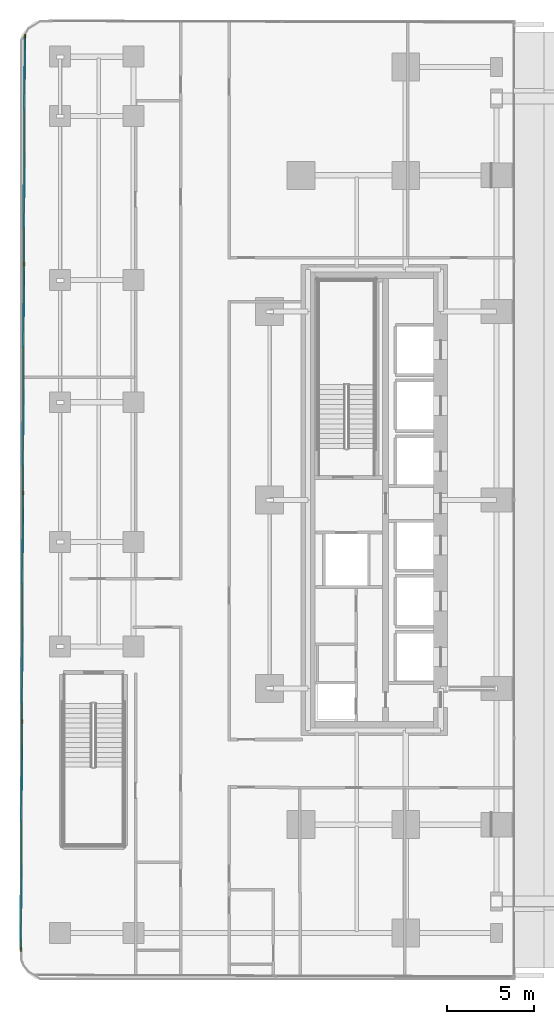
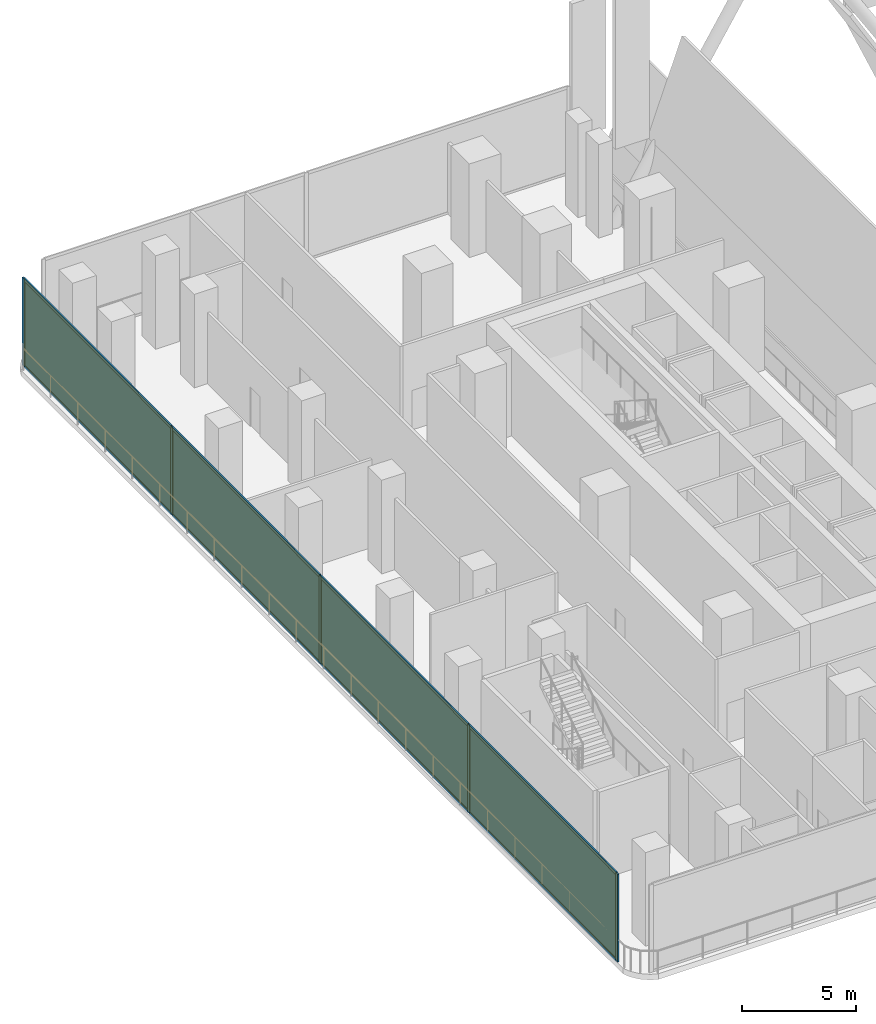
# One storey, part 13 of 31: 13 members, 4 plates, 1 curtain wall.
"""IFC4 building model written with IfcOpenShell, lengths in metres."""

from ifc_helpers import new_model, si_unit, direction, frame, frame_2d, origin, origin_2d, place, context, subcontext, project, spatial, rectangle, extrude, material, layer, layer_set, material_profile, profile_set, type_object, element, aggregate, save


model = new_model("IFC4")

# Units and contexts
model_context = context("Model", 3, precision=1e-05, world=origin(), true_north=direction((0.0, 1.0)))
body_context = subcontext(model_context, "Body", "Model", "MODEL_VIEW")
ifc_project = project(units=[si_unit("LENGTHUNIT", "METRE"), si_unit("AREAUNIT", "SQUARE_METRE"), si_unit("VOLUMEUNIT", "CUBIC_METRE"), si_unit("PLANEANGLEUNIT", "RADIAN"), si_unit("MASSUNIT", "GRAM", prefix="KILO")], contexts=[model_context])

# Member
ifc_material_1 = material(Name="Anodised Bronze Aluminium 6063-T6", Category="aluminium")
ifc_material_profile_1 = material_profile(ifc_material_1, rectangle(XDim=0.074951171875, YDim=0.199951171875, at=origin_2d()))
ifc_profile_set_1 = profile_set([ifc_material_profile_1], Name="Anodised Bronze Aluminium 6063-T6")
member_type_1 = type_object("IfcMemberType", Name="CW-POD Mullion 75x200", PredefinedType="MULLION", material=ifc_profile_set_1)
site_placement = place(None, origin())
building_placement = place(site_placement, origin())
storey_placement = place(building_placement, frame((0.0, 0.0, 6.0)))
member_1_placement = place(storey_placement, frame((-36.43994140625, -25.751953125, 0.0), z_axis=(0.0, 0.0, 1.0), x_axis=(-0.99999110921, 0.004216811588, 0.0)))
member_1 = element("IfcMember", 1, at=member_1_placement, type_object=member_type_1, Name="CW-POD mullion 1", PredefinedType="MULLION", context=body_context, shape_type="SweptSolid", body=[
    extrude(rectangle(XDim=0.074951171875, YDim=0.199951171875, at=origin_2d()), origin(), (0.0, 0.0, 1.0), 4.699951171875),
])

member_2_placement = place(storey_placement, frame((-36.384765625, -12.687255859375, 0.0), z_axis=(0.0, 0.0, 1.0), x_axis=(-0.99999110921, 0.004216811588, 0.0)))
member_2 = element("IfcMember", 2, at=member_2_placement, type_object=member_type_1, Name="CW-POD mullion 2", PredefinedType="MULLION", context=body_context, shape_type="SweptSolid", body=[
    extrude(rectangle(XDim=0.074951171875, YDim=0.199951171875, at=origin_2d()), origin(), (0.0, 0.0, 1.0), 4.699951171875),
])

member_3_placement = place(storey_placement, frame((-36.32958984375, 0.414794921875, 0.0), z_axis=(0.0, 0.0, 1.0), x_axis=(-0.99999110921, 0.004216811588, 0.0)))
member_3 = element("IfcMember", 3, at=member_3_placement, type_object=member_type_1, Name="CW-POD mullion 3", PredefinedType="MULLION", context=body_context, shape_type="SweptSolid", body=[
    extrude(rectangle(XDim=0.074951171875, YDim=0.199951171875, at=origin_2d()), origin(), (0.0, 0.0, 1.0), 4.699951171875),
])

member_4_placement = place(storey_placement, frame((-36.274169921875, 13.51708984375, 0.0), z_axis=(0.0, 0.0, 1.0), x_axis=(-0.99999110921, 0.004216811588, 0.0)))
member_4 = element("IfcMember", 4, at=member_4_placement, type_object=member_type_1, Name="CW-POD mullion 4", PredefinedType="MULLION", context=body_context, shape_type="SweptSolid", body=[
    extrude(rectangle(XDim=0.074951171875, YDim=0.199951171875, at=origin_2d()), origin(), (0.0, 0.0, 1.0), 4.699951171875),
])

member_5_placement = place(storey_placement, frame((-36.21923828125, 26.581787109375, 0.0), z_axis=(0.0, 0.0, 1.0), x_axis=(-0.99999110921, 0.004216811588, 0.0)))
member_5 = element("IfcMember", 5, at=member_5_placement, type_object=member_type_1, Name="CW-POD mullion 5", PredefinedType="MULLION", context=body_context, shape_type="SweptSolid", body=[
    extrude(rectangle(XDim=0.074951171875, YDim=0.199951171875, at=origin_2d()), origin(), (0.0, 0.0, 1.0), 4.699951171875),
])

ifc_material_2 = material(Name="Anodised Bronze Aluminium 6063-T6", Category="aluminium")
ifc_material_profile_2 = material_profile(ifc_material_2, rectangle(XDim=0.074951171875, YDim=0.159912109375, at=origin_2d()))
ifc_profile_set_2 = profile_set([ifc_material_profile_2], Name="Anodised Bronze Aluminium 6063-T6")
member_type_2 = type_object("IfcMemberType", Name="CW-POD Transom 75x160", PredefinedType="USERDEFINED", material=ifc_profile_set_2)
member_6_placement = place(storey_placement, frame((-36.439697265625, -25.714599609375, 0.03759765625), z_axis=(0.004210014188, 0.999991137851, 0.0), x_axis=(-0.999991137851, 0.004210014188, 0.0)))
member_6 = element("IfcMember", 6, at=member_6_placement, type_object=member_type_2, Name="CW-POD transom 1.1", ObjectType="TRANSOM", PredefinedType="USERDEFINED", context=body_context, shape_type="SweptSolid", body=[
    extrude(rectangle(XDim=0.074951171875, YDim=0.159912109375, at=origin_2d()), origin(), (0.0, 0.0, 1.0), 12.98974609375),
])

member_7_placement = place(storey_placement, frame((-36.439697265625, -25.714599609375, 4.66259765625), z_axis=(0.004210014188, 0.999991137851, 0.0), x_axis=(-0.999991137851, 0.004210014188, 0.0)))
member_7 = element("IfcMember", 7, at=member_7_placement, type_object=member_type_2, Name="CW-POD transom 1.2", ObjectType="TRANSOM", PredefinedType="USERDEFINED", context=body_context, shape_type="SweptSolid", body=[
    extrude(rectangle(XDim=0.074951171875, YDim=0.159912109375, at=origin_2d()), origin(), (0.0, 0.0, 1.0), 12.98974609375),
])

member_8_placement = place(storey_placement, frame((-36.384521484375, -12.64990234375, 0.03759765625), z_axis=(0.004216604194, 0.999991110085, 0.0), x_axis=(-0.999991110085, 0.004216604194, 0.0)))
member_8 = element("IfcMember", 8, at=member_8_placement, type_object=member_type_2, Name="CW-POD transom 2.1", ObjectType="TRANSOM", PredefinedType="USERDEFINED", context=body_context, shape_type="SweptSolid", body=[
    extrude(rectangle(XDim=0.074951171875, YDim=0.159912109375, at=origin_2d()), origin(), (0.0, 0.0, 1.0), 13.02734375),
])

member_9_placement = place(storey_placement, frame((-36.384521484375, -12.64990234375, 4.66259765625), z_axis=(0.004216604194, 0.999991110085, 0.0), x_axis=(-0.999991110085, 0.004216604194, 0.0)))
member_9 = element("IfcMember", 9, at=member_9_placement, type_object=member_type_2, Name="CW-POD transom 2.2", ObjectType="TRANSOM", PredefinedType="USERDEFINED", context=body_context, shape_type="SweptSolid", body=[
    extrude(rectangle(XDim=0.074951171875, YDim=0.159912109375, at=origin_2d()), origin(), (0.0, 0.0, 1.0), 13.02734375),
])

member_10_placement = place(storey_placement, frame((-36.329345703125, 0.452392578125, 0.03759765625), z_axis=(0.004216683215, 0.999991109752, 0.0), x_axis=(-0.999991109752, 0.004216683215, 0.0)))
member_10 = element("IfcMember", 10, at=member_10_placement, type_object=member_type_2, Name="CW-POD transom 3.1", ObjectType="TRANSOM", PredefinedType="USERDEFINED", context=body_context, shape_type="SweptSolid", body=[
    extrude(rectangle(XDim=0.074951171875, YDim=0.159912109375, at=origin_2d()), origin(), (0.0, 0.0, 1.0), 13.027099609375),
])

member_11_placement = place(storey_placement, frame((-36.329345703125, 0.452392578125, 4.66259765625), z_axis=(0.004216683215, 0.999991109752, 0.0), x_axis=(-0.999991109752, 0.004216683215, 0.0)))
member_11 = element("IfcMember", 11, at=member_11_placement, type_object=member_type_2, Name="CW-POD transom 3.2", ObjectType="TRANSOM", PredefinedType="USERDEFINED", context=body_context, shape_type="SweptSolid", body=[
    extrude(rectangle(XDim=0.074951171875, YDim=0.159912109375, at=origin_2d()), origin(), (0.0, 0.0, 1.0), 13.027099609375),
])

member_12_placement = place(storey_placement, frame((-36.274169921875, 13.5546875, 0.03759765625), z_axis=(0.004228888039, 0.999991058213, 0.0), x_axis=(-0.999991058213, 0.004228888039, 0.0)))
member_12 = element("IfcMember", 12, at=member_12_placement, type_object=member_type_2, Name="CW-POD transom 4.1", ObjectType="TRANSOM", PredefinedType="USERDEFINED", context=body_context, shape_type="SweptSolid", body=[
    extrude(rectangle(XDim=0.074951171875, YDim=0.159912109375, at=origin_2d()), origin(), (0.0, 0.0, 1.0), 12.989501953125),
])

member_13_placement = place(storey_placement, frame((-36.274169921875, 13.5546875, 4.66259765625), z_axis=(0.004228888039, 0.999991058213, 0.0), x_axis=(-0.999991058213, 0.004228888039, 0.0)))
member_13 = element("IfcMember", 13, at=member_13_placement, type_object=member_type_2, Name="CW-POD transom 4.2", ObjectType="TRANSOM", PredefinedType="USERDEFINED", context=body_context, shape_type="SweptSolid", body=[
    extrude(rectangle(XDim=0.074951171875, YDim=0.159912109375, at=origin_2d()), origin(), (0.0, 0.0, 1.0), 12.989501953125),
])

# Plate
ifc_material_3 = material(Name="Low-E Solar Control Laminated Glass", Category="glass")
ifc_layer_1 = layer(ifc_material_3, 0.031982421875, Name="Low-E Solar Control Laminated Glass")
ifc_layer_set_1 = layer_set([ifc_layer_1], Name="Low-E Solar Control Laminated Glass")
plate_type = type_object("IfcPlateType", Name="CW-POD Low-E Double Glazed Panel 32mm", PredefinedType="CURTAIN_PANEL", material=ifc_layer_set_1)
plate_1_placement = place(storey_placement, frame((-36.412353515625, -19.2197265625, 0.0751953125), z_axis=(0.0, 0.0, 1.0), x_axis=(0.004216811588, 0.99999110921, 0.0)))
plate_1 = element("IfcPlate", 14, at=plate_1_placement, type_object=plate_type, Name="CW-POD panel 1.1", PredefinedType="CURTAIN_PANEL", context=body_context, shape_type="SweptSolid", body=[
    extrude(rectangle(XDim=12.98974609375, YDim=0.031982421875, at=origin_2d()), origin(), (0.0, 0.0, 1.0), 4.550048828125),
])

plate_2_placement = place(storey_placement, frame((-36.357177734375, -6.13623046875, 0.0751953125), z_axis=(0.0, 0.0, 1.0), x_axis=(0.004216811588, 0.99999110921, 0.0)))
plate_2 = element("IfcPlate", 15, at=plate_2_placement, type_object=plate_type, Name="CW-POD panel 2.1", PredefinedType="CURTAIN_PANEL", context=body_context, shape_type="SweptSolid", body=[
    extrude(rectangle(XDim=13.02734375, YDim=0.031982421875, at=origin_2d()), origin(), (0.0, 0.0, 1.0), 4.550048828125),
])

plate_3_placement = place(storey_placement, frame((-36.3017578125, 6.966064453125, 0.0751953125), z_axis=(0.0, 0.0, 1.0), x_axis=(0.004216811588, 0.99999110921, 0.0)))
plate_3 = element("IfcPlate", 16, at=plate_3_placement, type_object=plate_type, Name="CW-POD panel 3.1", PredefinedType="CURTAIN_PANEL", context=body_context, shape_type="SweptSolid", body=[
    extrude(rectangle(XDim=13.02734375, YDim=0.031982421875, at=origin_2d()), origin(), (0.0, 0.0, 1.0), 4.550048828125),
])

plate_4_placement = place(storey_placement, frame((-36.24658203125, 20.049560546875, 0.0751953125), z_axis=(0.0, 0.0, 1.0), x_axis=(0.004216811588, 0.99999110921, 0.0)))
plate_4 = element("IfcPlate", 17, at=plate_4_placement, type_object=plate_type, Name="CW-POD panel 4.1", PredefinedType="CURTAIN_PANEL", context=body_context, shape_type="SweptSolid", body=[
    extrude(rectangle(XDim=12.98974609375, YDim=0.031982421875, at=origin_2d()), origin(), (0.0, 0.0, 1.0), 4.550048828125),
])

# Site, building, storey
site = spatial("IfcSite", under=ifc_project, at=site_placement, CompositionType="ELEMENT")
building = spatial("IfcBuilding", under=site, at=building_placement, Name="Khairoan Windgate Tower", CompositionType="ELEMENT")
storey = spatial("IfcBuildingStorey", under=building, at=storey_placement, Name="L02", CompositionType="ELEMENT", Elevation=6.0)

# Curtain wall
ifc_material_4 = material(Name="Anodised Bronze Aluminium 6063-T6", Category="aluminium")
ifc_layer_2 = layer(ifc_material_4, 0.199951171875, Name="Anodised Bronze Aluminium 6063-T6")
ifc_layer_set_2 = layer_set([ifc_layer_2], Name="Anodised Bronze Aluminium 6063-T6")
curtain_wall_type = type_object("IfcCurtainWallType", Name="Podium Arch Galleria Curtain Wall CW-POD", PredefinedType="NOTDEFINED", material=ifc_layer_set_2)
curtain_wall_placement = place(storey_placement, frame((-36.43994140625, -25.78955078125, 0.0), z_axis=(0.0, 0.0, 1.0), x_axis=(0.004215794499, 0.999991113499, 0.0)))
curtain_wall = element("IfcCurtainWall", 18, at=curtain_wall_placement, inside=storey, type_object=curtain_wall_type, Name="L02 Sculpted Podium Wing Curtain Wall 1.3", PredefinedType="NOTDEFINED", context=body_context, shape_type="SweptSolid", body=[
    extrude(rectangle(XDim=52.409423828125, YDim=0.010009765625, at=frame_2d((26.20458984375, 0.0))), origin(), (0.0, 0.0, 1.0), 4.699951171875),
])

aggregate(curtain_wall, [member_1, member_2, member_3, member_4, member_5, member_6, member_7, plate_1, member_8, member_9, plate_2, member_10, member_11, plate_3, member_12, member_13, plate_4])

save(model, "model.ifc")
